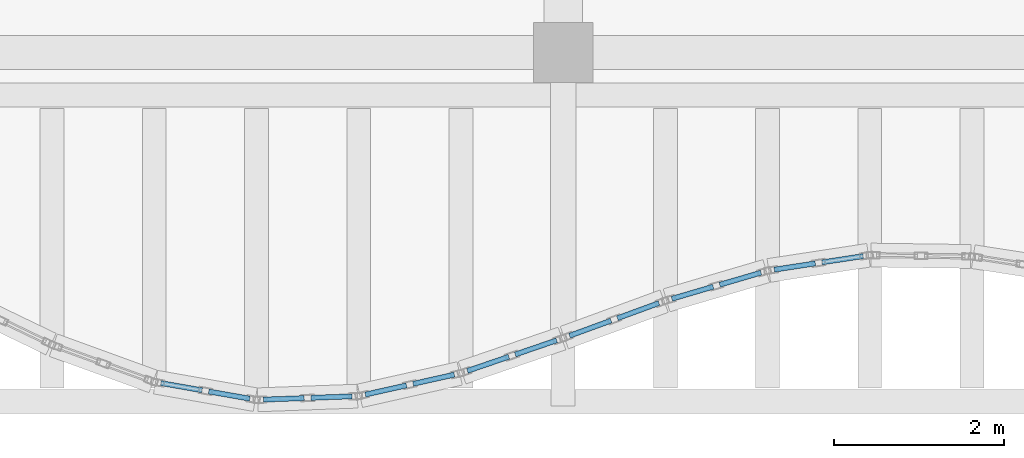
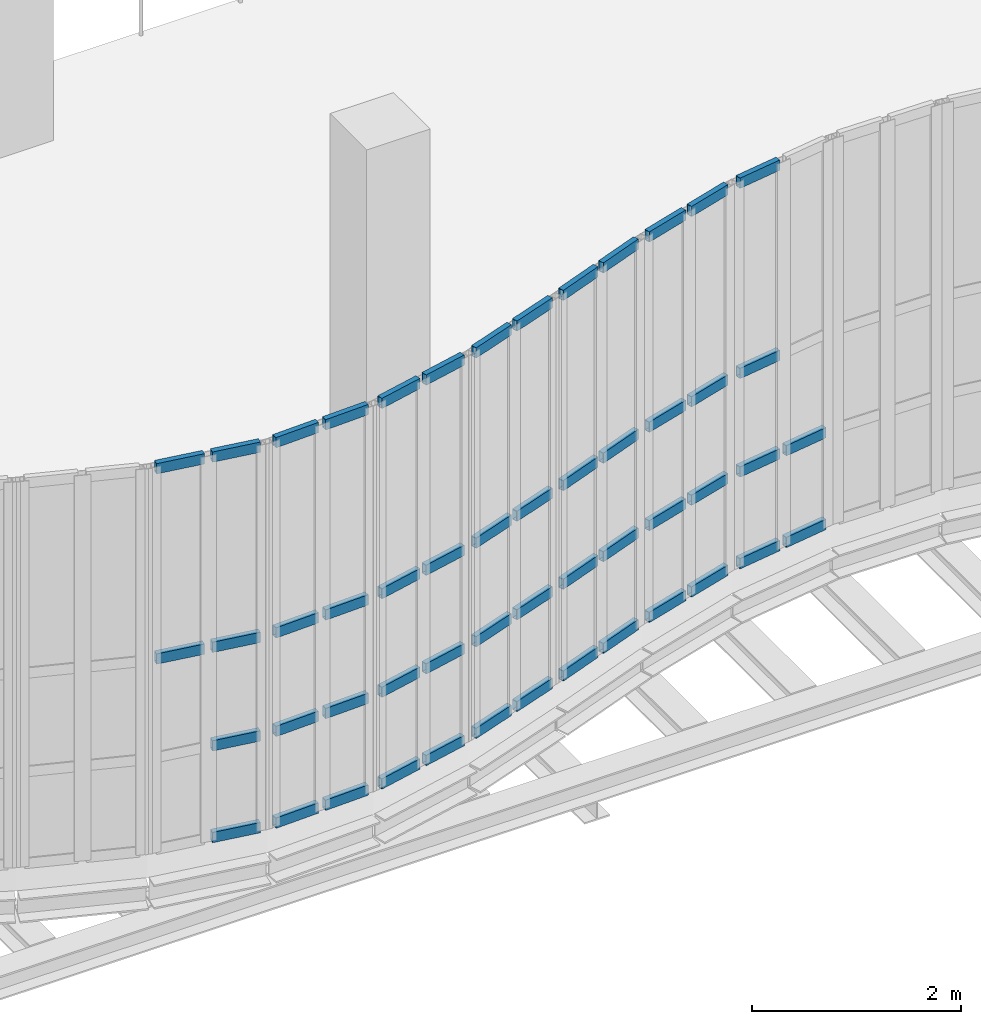
# One storey, part 58 of 108: 52 members, 7 elements without a shape of their own.
"""IFC4 building model written with IfcOpenShell, lengths in metres."""

from ifc_helpers import new_model, si_unit, direction, frame, origin, origin_2d, place, context, subcontext, project, spatial, hollow_rectangle, extrude, material, layer, layer_set, material_profile, profile_set, type_object, element, aggregate, save


model = new_model("IFC4")

# Units and contexts
model_context = context("Model", 3, precision=1e-05, world=origin(), true_north=direction((0.0, 1.0)))
body_context = subcontext(model_context, "Body", "Model", "MODEL_VIEW")
ifc_project = project(units=[si_unit("LENGTHUNIT", "METRE"), si_unit("AREAUNIT", "SQUARE_METRE"), si_unit("VOLUMEUNIT", "CUBIC_METRE"), si_unit("PLANEANGLEUNIT", "RADIAN"), si_unit("MASSUNIT", "GRAM", prefix="KILO"), si_unit("THERMODYNAMICTEMPERATUREUNIT", "KELVIN"), si_unit("POWERUNIT", "WATT")], contexts=[model_context])

# Site, building, storey
site_placement = place(None, origin())
site = spatial("IfcSite", under=ifc_project, at=site_placement, CompositionType="ELEMENT")
building_placement = place(site_placement, origin())
building = spatial("IfcBuilding", under=site, at=building_placement, Name="Kaldorven Railside Theatre", CompositionType="ELEMENT")
storey_placement = place(building_placement, frame((0.0, 0.0, 5.39990234375)))
storey = spatial("IfcBuildingStorey", under=building, at=storey_placement, Name="L01", CompositionType="ELEMENT", Elevation=5.39990234375)

# Curtain wall, members
ifc_material_1 = material(Name="Low-E laminated solar-control glass", Category="glass")
ifc_layer_1 = layer(ifc_material_1, 0.159912109375, Name="Low-E laminated solar-control glass")
ifc_layer_set_1 = layer_set([ifc_layer_1], Name="Low-E laminated solar-control glass")
curtain_wall_type_1 = type_object("IfcCurtainWallType", Name="CWT-07", PredefinedType="USERDEFINED", material=ifc_layer_set_1)
curtain_wall_1_placement = place(storey_placement, origin())
curtain_wall_1 = element("IfcCurtainWall", 1, at=curtain_wall_1_placement, inside=storey, type_object=curtain_wall_type_1, Name="Sinusoidal Fluted Curtain Wall CW-L01-S33", ObjectType="FLUTED GLAZING", PredefinedType="USERDEFINED")
ifc_material_2 = material(Name="Anodised bronze aluminium", Category="aluminium")
ifc_material_profile = material_profile(ifc_material_2, hollow_rectangle(XDim=0.06005859375, YDim=0.1201171875, WallThickness=0.0048828125, at=origin_2d()), Name="RHS 120x60x5")
ifc_profile_set = profile_set([ifc_material_profile], Name="Anodised bronze aluminium")
member_type = type_object("IfcMemberType", Name="CWT-120", PredefinedType="USERDEFINED", material=ifc_profile_set)
member_1_placement = place(storey_placement, frame((75.27880859375, 15.318359375, 2.25), z_axis=(0.984883900347, -0.1732157696, 0.0), x_axis=(0.1732157696, 0.984883900347, 0.0)))
member_1 = element("IfcMember", 2, at=member_1_placement, type_object=member_type, Name="CW-L01-S33 transom 1.3", ObjectType="TRANSOM", PredefinedType="USERDEFINED", context=body_context, shape_type="SweptSolid", body=[
    extrude(hollow_rectangle(XDim=0.06005859375, YDim=0.1201171875, WallThickness=0.0048828125, at=origin_2d()), origin(), (0.0, 0.0, 1.0), 0.489013671875),
])
member_2_placement = place(storey_placement, frame((75.27880859375, 15.318359375, 4.47021484375), z_axis=(0.984883900347, -0.1732157696, 0.0), x_axis=(0.1732157696, 0.984883900347, 0.0)))
member_2 = element("IfcMember", 3, at=member_2_placement, type_object=member_type, Name="CW-L01-S33 transom 1.4", ObjectType="TRANSOM", PredefinedType="USERDEFINED", context=body_context, shape_type="SweptSolid", body=[
    extrude(hollow_rectangle(XDim=0.06005859375, YDim=0.1201171875, WallThickness=0.0048828125, at=origin_2d()), origin(), (0.0, 0.0, 1.0), 0.489013671875),
])
member_3_placement = place(storey_placement, frame((75.83935546875, 15.2197265625, 0.030029296875), z_axis=(0.984898866584, -0.173130651826, 0.0), x_axis=(0.173130651826, 0.984898866584, 0.0)))
member_3 = element("IfcMember", 4, at=member_3_placement, type_object=member_type, Name="CW-L01-S33 transom 2.1", ObjectType="TRANSOM", PredefinedType="USERDEFINED", context=body_context, shape_type="SweptSolid", body=[
    extrude(hollow_rectangle(XDim=0.06005859375, YDim=0.1201171875, WallThickness=0.0048828125, at=origin_2d()), origin(), (0.0, 0.0, 1.0), 0.4892578125),
])
member_4_placement = place(storey_placement, frame((75.83935546875, 15.2197265625, 1.10009765625), z_axis=(0.984898866584, -0.173130651826, 0.0), x_axis=(0.173130651826, 0.984898866584, 0.0)))
member_4 = element("IfcMember", 5, at=member_4_placement, type_object=member_type, Name="CW-L01-S33 transom 2.2", ObjectType="TRANSOM", PredefinedType="USERDEFINED", context=body_context, shape_type="SweptSolid", body=[
    extrude(hollow_rectangle(XDim=0.06005859375, YDim=0.1201171875, WallThickness=0.0048828125, at=origin_2d()), origin(), (0.0, 0.0, 1.0), 0.4892578125),
])
member_5_placement = place(storey_placement, frame((75.83935546875, 15.2197265625, 2.25), z_axis=(0.984898866584, -0.173130651826, 0.0), x_axis=(0.173130651826, 0.984898866584, 0.0)))
member_5 = element("IfcMember", 6, at=member_5_placement, type_object=member_type, Name="CW-L01-S33 transom 2.3", ObjectType="TRANSOM", PredefinedType="USERDEFINED", context=body_context, shape_type="SweptSolid", body=[
    extrude(hollow_rectangle(XDim=0.06005859375, YDim=0.1201171875, WallThickness=0.0048828125, at=origin_2d()), origin(), (0.0, 0.0, 1.0), 0.4892578125),
])
member_6_placement = place(storey_placement, frame((75.83935546875, 15.2197265625, 4.47021484375), z_axis=(0.984898866584, -0.173130651826, 0.0), x_axis=(0.173130651826, 0.984898866584, 0.0)))
member_6 = element("IfcMember", 7, at=member_6_placement, type_object=member_type, Name="CW-L01-S33 transom 2.4", ObjectType="TRANSOM", PredefinedType="USERDEFINED", context=body_context, shape_type="SweptSolid", body=[
    extrude(hollow_rectangle(XDim=0.06005859375, YDim=0.1201171875, WallThickness=0.0048828125, at=origin_2d()), origin(), (0.0, 0.0, 1.0), 0.4892578125),
])
aggregate(curtain_wall_1, [member_1, member_2, member_3, member_4, member_5, member_6])

ifc_layer_2 = layer(ifc_material_1, 0.159912109375, Name="Low-E laminated solar-control glass")
ifc_layer_set_2 = layer_set([ifc_layer_2], Name="Low-E laminated solar-control glass")
curtain_wall_type_2 = type_object("IfcCurtainWallType", Name="CWT-03", PredefinedType="USERDEFINED", material=ifc_layer_set_2)
curtain_wall_2_placement = place(storey_placement, origin())
curtain_wall_2 = element("IfcCurtainWall", 8, at=curtain_wall_2_placement, inside=storey, type_object=curtain_wall_type_2, Name="Sinusoidal Fluted Curtain Wall CW-L01-S34", ObjectType="FLUTED GLAZING", PredefinedType="USERDEFINED")
member_7_placement = place(storey_placement, frame((76.47998046875, 15.124267578125, 0.030029296875), z_axis=(0.99933006699, 0.036598049249, 0.0), x_axis=(-0.036598049249, 0.99933006699, 0.0)))
member_7 = element("IfcMember", 9, at=member_7_placement, type_object=member_type, Name="CW-L01-S34 transom 1.1", ObjectType="TRANSOM", PredefinedType="USERDEFINED", context=body_context, shape_type="SweptSolid", body=[
    extrude(hollow_rectangle(XDim=0.06005859375, YDim=0.1201171875, WallThickness=0.0048828125, at=origin_2d()), origin(), (0.0, 0.0, 1.0), 0.480224609375),
])
member_8_placement = place(storey_placement, frame((76.47998046875, 15.124267578125, 1.10009765625), z_axis=(0.99933006699, 0.036598049249, 0.0), x_axis=(-0.036598049249, 0.99933006699, 0.0)))
member_8 = element("IfcMember", 10, at=member_8_placement, type_object=member_type, Name="CW-L01-S34 transom 1.2", ObjectType="TRANSOM", PredefinedType="USERDEFINED", context=body_context, shape_type="SweptSolid", body=[
    extrude(hollow_rectangle(XDim=0.06005859375, YDim=0.1201171875, WallThickness=0.0048828125, at=origin_2d()), origin(), (0.0, 0.0, 1.0), 0.480224609375),
])
member_9_placement = place(storey_placement, frame((76.47998046875, 15.124267578125, 2.25), z_axis=(0.99933006699, 0.036598049249, 0.0), x_axis=(-0.036598049249, 0.99933006699, 0.0)))
member_9 = element("IfcMember", 11, at=member_9_placement, type_object=member_type, Name="CW-L01-S34 transom 1.3", ObjectType="TRANSOM", PredefinedType="USERDEFINED", context=body_context, shape_type="SweptSolid", body=[
    extrude(hollow_rectangle(XDim=0.06005859375, YDim=0.1201171875, WallThickness=0.0048828125, at=origin_2d()), origin(), (0.0, 0.0, 1.0), 0.480224609375),
])
member_10_placement = place(storey_placement, frame((76.47998046875, 15.124267578125, 4.47021484375), z_axis=(0.99933006699, 0.036598049249, 0.0), x_axis=(-0.036598049249, 0.99933006699, 0.0)))
member_10 = element("IfcMember", 12, at=member_10_placement, type_object=member_type, Name="CW-L01-S34 transom 1.4", ObjectType="TRANSOM", PredefinedType="USERDEFINED", context=body_context, shape_type="SweptSolid", body=[
    extrude(hollow_rectangle(XDim=0.06005859375, YDim=0.1201171875, WallThickness=0.0048828125, at=origin_2d()), origin(), (0.0, 0.0, 1.0), 0.480224609375),
])
member_11_placement = place(storey_placement, frame((77.0400390625, 15.14501953125, 0.030029296875), z_axis=(0.999311347861, 0.037105660424, 0.0), x_axis=(-0.037105660424, 0.999311347861, 0.0)))
member_11 = element("IfcMember", 13, at=member_11_placement, type_object=member_type, Name="CW-L01-S34 transom 2.1", ObjectType="TRANSOM", PredefinedType="USERDEFINED", context=body_context, shape_type="SweptSolid", body=[
    extrude(hollow_rectangle(XDim=0.06005859375, YDim=0.1201171875, WallThickness=0.0048828125, at=origin_2d()), origin(), (0.0, 0.0, 1.0), 0.480224609375),
])
member_12_placement = place(storey_placement, frame((77.0400390625, 15.14501953125, 1.10009765625), z_axis=(0.999311347861, 0.037105660424, 0.0), x_axis=(-0.037105660424, 0.999311347861, 0.0)))
member_12 = element("IfcMember", 14, at=member_12_placement, type_object=member_type, Name="CW-L01-S34 transom 2.2", ObjectType="TRANSOM", PredefinedType="USERDEFINED", context=body_context, shape_type="SweptSolid", body=[
    extrude(hollow_rectangle(XDim=0.06005859375, YDim=0.1201171875, WallThickness=0.0048828125, at=origin_2d()), origin(), (0.0, 0.0, 1.0), 0.480224609375),
])
member_13_placement = place(storey_placement, frame((77.0400390625, 15.14501953125, 2.25), z_axis=(0.999311347861, 0.037105660424, 0.0), x_axis=(-0.037105660424, 0.999311347861, 0.0)))
member_13 = element("IfcMember", 15, at=member_13_placement, type_object=member_type, Name="CW-L01-S34 transom 2.3", ObjectType="TRANSOM", PredefinedType="USERDEFINED", context=body_context, shape_type="SweptSolid", body=[
    extrude(hollow_rectangle(XDim=0.06005859375, YDim=0.1201171875, WallThickness=0.0048828125, at=origin_2d()), origin(), (0.0, 0.0, 1.0), 0.480224609375),
])
member_14_placement = place(storey_placement, frame((77.0400390625, 15.14501953125, 4.47021484375), z_axis=(0.999311347861, 0.037105660424, 0.0), x_axis=(-0.037105660424, 0.999311347861, 0.0)))
member_14 = element("IfcMember", 16, at=member_14_placement, type_object=member_type, Name="CW-L01-S34 transom 2.4", ObjectType="TRANSOM", PredefinedType="USERDEFINED", context=body_context, shape_type="SweptSolid", body=[
    extrude(hollow_rectangle(XDim=0.06005859375, YDim=0.1201171875, WallThickness=0.0048828125, at=origin_2d()), origin(), (0.0, 0.0, 1.0), 0.480224609375),
])
aggregate(curtain_wall_2, [member_7, member_8, member_9, member_10, member_11, member_12, member_13, member_14])

ifc_layer_3 = layer(ifc_material_1, 0.159912109375, Name="Low-E laminated solar-control glass")
ifc_layer_set_3 = layer_set([ifc_layer_3], Name="Low-E laminated solar-control glass")
curtain_wall_type_3 = type_object("IfcCurtainWallType", Name="CWT-02", PredefinedType="USERDEFINED", material=ifc_layer_set_3)
curtain_wall_3_placement = place(storey_placement, origin())
curtain_wall_3 = element("IfcCurtainWall", 17, at=curtain_wall_3_placement, inside=storey, type_object=curtain_wall_type_3, Name="Sinusoidal Fluted Curtain Wall CW-L01-S35", ObjectType="FLUTED GLAZING", PredefinedType="USERDEFINED")
member_15_placement = place(storey_placement, frame((77.677978515625, 15.183349609375, 0.030029296875), z_axis=(0.975720554959, 0.219019174116, 0.0), x_axis=(-0.219019174116, 0.975720554959, 0.0)))
member_15 = element("IfcMember", 18, at=member_15_placement, type_object=member_type, Name="CW-L01-S35 transom 1.1", ObjectType="TRANSOM", PredefinedType="USERDEFINED", context=body_context, shape_type="SweptSolid", body=[
    extrude(hollow_rectangle(XDim=0.06005859375, YDim=0.1201171875, WallThickness=0.0048828125, at=origin_2d()), origin(), (0.0, 0.0, 1.0), 0.494873046875),
])
member_16_placement = place(storey_placement, frame((77.677978515625, 15.183349609375, 1.10009765625), z_axis=(0.975720554959, 0.219019174116, 0.0), x_axis=(-0.219019174116, 0.975720554959, 0.0)))
member_16 = element("IfcMember", 19, at=member_16_placement, type_object=member_type, Name="CW-L01-S35 transom 1.2", ObjectType="TRANSOM", PredefinedType="USERDEFINED", context=body_context, shape_type="SweptSolid", body=[
    extrude(hollow_rectangle(XDim=0.06005859375, YDim=0.1201171875, WallThickness=0.0048828125, at=origin_2d()), origin(), (0.0, 0.0, 1.0), 0.494873046875),
])
member_17_placement = place(storey_placement, frame((77.677978515625, 15.183349609375, 2.25), z_axis=(0.975720554959, 0.219019174116, 0.0), x_axis=(-0.219019174116, 0.975720554959, 0.0)))
member_17 = element("IfcMember", 20, at=member_17_placement, type_object=member_type, Name="CW-L01-S35 transom 1.3", ObjectType="TRANSOM", PredefinedType="USERDEFINED", context=body_context, shape_type="SweptSolid", body=[
    extrude(hollow_rectangle(XDim=0.06005859375, YDim=0.1201171875, WallThickness=0.0048828125, at=origin_2d()), origin(), (0.0, 0.0, 1.0), 0.494873046875),
])
member_18_placement = place(storey_placement, frame((77.677978515625, 15.183349609375, 4.47021484375), z_axis=(0.975720554959, 0.219019174116, 0.0), x_axis=(-0.219019174116, 0.975720554959, 0.0)))
member_18 = element("IfcMember", 21, at=member_18_placement, type_object=member_type, Name="CW-L01-S35 transom 1.4", ObjectType="TRANSOM", PredefinedType="USERDEFINED", context=body_context, shape_type="SweptSolid", body=[
    extrude(hollow_rectangle(XDim=0.06005859375, YDim=0.1201171875, WallThickness=0.0048828125, at=origin_2d()), origin(), (0.0, 0.0, 1.0), 0.494873046875),
])
member_19_placement = place(storey_placement, frame((78.239013671875, 15.309326171875, 0.030029296875), z_axis=(0.975720554959, 0.219019174116, 0.0), x_axis=(-0.219019174116, 0.975720554959, 0.0)))
member_19 = element("IfcMember", 22, at=member_19_placement, type_object=member_type, Name="CW-L01-S35 transom 2.1", ObjectType="TRANSOM", PredefinedType="USERDEFINED", context=body_context, shape_type="SweptSolid", body=[
    extrude(hollow_rectangle(XDim=0.06005859375, YDim=0.1201171875, WallThickness=0.0048828125, at=origin_2d()), origin(), (0.0, 0.0, 1.0), 0.494873046875),
])
member_20_placement = place(storey_placement, frame((78.239013671875, 15.309326171875, 1.10009765625), z_axis=(0.975720554959, 0.219019174116, 0.0), x_axis=(-0.219019174116, 0.975720554959, 0.0)))
member_20 = element("IfcMember", 23, at=member_20_placement, type_object=member_type, Name="CW-L01-S35 transom 2.2", ObjectType="TRANSOM", PredefinedType="USERDEFINED", context=body_context, shape_type="SweptSolid", body=[
    extrude(hollow_rectangle(XDim=0.06005859375, YDim=0.1201171875, WallThickness=0.0048828125, at=origin_2d()), origin(), (0.0, 0.0, 1.0), 0.494873046875),
])
member_21_placement = place(storey_placement, frame((78.239013671875, 15.309326171875, 2.25), z_axis=(0.975720554959, 0.219019174116, 0.0), x_axis=(-0.219019174116, 0.975720554959, 0.0)))
member_21 = element("IfcMember", 24, at=member_21_placement, type_object=member_type, Name="CW-L01-S35 transom 2.3", ObjectType="TRANSOM", PredefinedType="USERDEFINED", context=body_context, shape_type="SweptSolid", body=[
    extrude(hollow_rectangle(XDim=0.06005859375, YDim=0.1201171875, WallThickness=0.0048828125, at=origin_2d()), origin(), (0.0, 0.0, 1.0), 0.494873046875),
])
member_22_placement = place(storey_placement, frame((78.239013671875, 15.309326171875, 4.47021484375), z_axis=(0.975720554959, 0.219019174116, 0.0), x_axis=(-0.219019174116, 0.975720554959, 0.0)))
member_22 = element("IfcMember", 25, at=member_22_placement, type_object=member_type, Name="CW-L01-S35 transom 2.4", ObjectType="TRANSOM", PredefinedType="USERDEFINED", context=body_context, shape_type="SweptSolid", body=[
    extrude(hollow_rectangle(XDim=0.06005859375, YDim=0.1201171875, WallThickness=0.0048828125, at=origin_2d()), origin(), (0.0, 0.0, 1.0), 0.494873046875),
])
aggregate(curtain_wall_3, [member_15, member_16, member_17, member_18, member_19, member_20, member_21, member_22])

ifc_layer_4 = layer(ifc_material_1, 0.159912109375, Name="Low-E laminated solar-control glass")
ifc_layer_set_4 = layer_set([ifc_layer_4], Name="Low-E laminated solar-control glass")
curtain_wall_type_4 = type_object("IfcCurtainWallType", Name="CWT-04", PredefinedType="USERDEFINED", material=ifc_layer_set_4)
curtain_wall_4_placement = place(storey_placement, origin())
curtain_wall_4 = element("IfcCurtainWall", 26, at=curtain_wall_4_placement, inside=storey, type_object=curtain_wall_type_4, Name="Sinusoidal Fluted Curtain Wall CW-L01-S36", ObjectType="FLUTED GLAZING", PredefinedType="USERDEFINED")
member_23_placement = place(storey_placement, frame((78.875732421875, 15.461181640625, 0.030029296875), z_axis=(0.945941783381, 0.324336464884, 0.0), x_axis=(-0.324336464884, 0.945941783381, 0.0)))
member_23 = element("IfcMember", 27, at=member_23_placement, type_object=member_type, Name="CW-L01-S36 transom 1.1", ObjectType="TRANSOM", PredefinedType="USERDEFINED", context=body_context, shape_type="SweptSolid", body=[
    extrude(hollow_rectangle(XDim=0.06005859375, YDim=0.1201171875, WallThickness=0.0048828125, at=origin_2d()), origin(), (0.0, 0.0, 1.0), 0.51416015625),
])
member_24_placement = place(storey_placement, frame((78.875732421875, 15.461181640625, 1.10009765625), z_axis=(0.945941783381, 0.324336464884, 0.0), x_axis=(-0.324336464884, 0.945941783381, 0.0)))
member_24 = element("IfcMember", 28, at=member_24_placement, type_object=member_type, Name="CW-L01-S36 transom 1.2", ObjectType="TRANSOM", PredefinedType="USERDEFINED", context=body_context, shape_type="SweptSolid", body=[
    extrude(hollow_rectangle(XDim=0.06005859375, YDim=0.1201171875, WallThickness=0.0048828125, at=origin_2d()), origin(), (0.0, 0.0, 1.0), 0.51416015625),
])
member_25_placement = place(storey_placement, frame((78.875732421875, 15.461181640625, 2.25), z_axis=(0.945941783381, 0.324336464884, 0.0), x_axis=(-0.324336464884, 0.945941783381, 0.0)))
member_25 = element("IfcMember", 29, at=member_25_placement, type_object=member_type, Name="CW-L01-S36 transom 1.3", ObjectType="TRANSOM", PredefinedType="USERDEFINED", context=body_context, shape_type="SweptSolid", body=[
    extrude(hollow_rectangle(XDim=0.06005859375, YDim=0.1201171875, WallThickness=0.0048828125, at=origin_2d()), origin(), (0.0, 0.0, 1.0), 0.51416015625),
])
member_26_placement = place(storey_placement, frame((78.875732421875, 15.461181640625, 4.47021484375), z_axis=(0.945941783381, 0.324336464884, 0.0), x_axis=(-0.324336464884, 0.945941783381, 0.0)))
member_26 = element("IfcMember", 30, at=member_26_placement, type_object=member_type, Name="CW-L01-S36 transom 1.4", ObjectType="TRANSOM", PredefinedType="USERDEFINED", context=body_context, shape_type="SweptSolid", body=[
    extrude(hollow_rectangle(XDim=0.06005859375, YDim=0.1201171875, WallThickness=0.0048828125, at=origin_2d()), origin(), (0.0, 0.0, 1.0), 0.51416015625),
])
member_27_placement = place(storey_placement, frame((79.437744140625, 15.65380859375, 0.030029296875), z_axis=(0.945991703324, 0.324190834606, 0.0), x_axis=(-0.324190834606, 0.945991703324, 0.0)))
member_27 = element("IfcMember", 31, at=member_27_placement, type_object=member_type, Name="CW-L01-S36 transom 2.1", ObjectType="TRANSOM", PredefinedType="USERDEFINED", context=body_context, shape_type="SweptSolid", body=[
    extrude(hollow_rectangle(XDim=0.06005859375, YDim=0.1201171875, WallThickness=0.0048828125, at=origin_2d()), origin(), (0.0, 0.0, 1.0), 0.514404296875),
])
member_28_placement = place(storey_placement, frame((79.437744140625, 15.65380859375, 1.10009765625), z_axis=(0.945991703324, 0.324190834606, 0.0), x_axis=(-0.324190834606, 0.945991703324, 0.0)))
member_28 = element("IfcMember", 32, at=member_28_placement, type_object=member_type, Name="CW-L01-S36 transom 2.2", ObjectType="TRANSOM", PredefinedType="USERDEFINED", context=body_context, shape_type="SweptSolid", body=[
    extrude(hollow_rectangle(XDim=0.06005859375, YDim=0.1201171875, WallThickness=0.0048828125, at=origin_2d()), origin(), (0.0, 0.0, 1.0), 0.514404296875),
])
member_29_placement = place(storey_placement, frame((79.437744140625, 15.65380859375, 2.25), z_axis=(0.945991703324, 0.324190834606, 0.0), x_axis=(-0.324190834606, 0.945991703324, 0.0)))
member_29 = element("IfcMember", 33, at=member_29_placement, type_object=member_type, Name="CW-L01-S36 transom 2.3", ObjectType="TRANSOM", PredefinedType="USERDEFINED", context=body_context, shape_type="SweptSolid", body=[
    extrude(hollow_rectangle(XDim=0.06005859375, YDim=0.1201171875, WallThickness=0.0048828125, at=origin_2d()), origin(), (0.0, 0.0, 1.0), 0.514404296875),
])
member_30_placement = place(storey_placement, frame((79.437744140625, 15.65380859375, 4.47021484375), z_axis=(0.945991703324, 0.324190834606, 0.0), x_axis=(-0.324190834606, 0.945991703324, 0.0)))
member_30 = element("IfcMember", 34, at=member_30_placement, type_object=member_type, Name="CW-L01-S36 transom 2.4", ObjectType="TRANSOM", PredefinedType="USERDEFINED", context=body_context, shape_type="SweptSolid", body=[
    extrude(hollow_rectangle(XDim=0.06005859375, YDim=0.1201171875, WallThickness=0.0048828125, at=origin_2d()), origin(), (0.0, 0.0, 1.0), 0.514404296875),
])
aggregate(curtain_wall_4, [member_23, member_24, member_25, member_26, member_27, member_28, member_29, member_30])

ifc_layer_5 = layer(ifc_material_1, 0.159912109375, Name="Low-E laminated solar-control glass")
ifc_layer_set_5 = layer_set([ifc_layer_5], Name="Low-E laminated solar-control glass")
curtain_wall_type_5 = type_object("IfcCurtainWallType", Name="CWT-01", PredefinedType="USERDEFINED", material=ifc_layer_set_5)
curtain_wall_5_placement = place(storey_placement, origin())
curtain_wall_5 = element("IfcCurtainWall", 35, at=curtain_wall_5_placement, inside=storey, type_object=curtain_wall_type_5, Name="Sinusoidal Fluted Curtain Wall CW-L01-S37", ObjectType="FLUTED GLAZING", PredefinedType="USERDEFINED")
member_31_placement = place(storey_placement, frame((80.0751953125, 15.873779296875, 0.030029296875), z_axis=(0.939159876124, 0.343480315416, 0.0), x_axis=(-0.343480315416, 0.939159876124, 0.0)))
member_31 = element("IfcMember", 36, at=member_31_placement, type_object=member_type, Name="CW-L01-S37 transom 1.1", ObjectType="TRANSOM", PredefinedType="USERDEFINED", context=body_context, shape_type="SweptSolid", body=[
    extrude(hollow_rectangle(XDim=0.06005859375, YDim=0.1201171875, WallThickness=0.0048828125, at=origin_2d()), origin(), (0.0, 0.0, 1.0), 0.518798828125),
])
member_32_placement = place(storey_placement, frame((80.0751953125, 15.873779296875, 1.10009765625), z_axis=(0.939159876124, 0.343480315416, 0.0), x_axis=(-0.343480315416, 0.939159876124, 0.0)))
member_32 = element("IfcMember", 37, at=member_32_placement, type_object=member_type, Name="CW-L01-S37 transom 1.2", ObjectType="TRANSOM", PredefinedType="USERDEFINED", context=body_context, shape_type="SweptSolid", body=[
    extrude(hollow_rectangle(XDim=0.06005859375, YDim=0.1201171875, WallThickness=0.0048828125, at=origin_2d()), origin(), (0.0, 0.0, 1.0), 0.518798828125),
])
member_33_placement = place(storey_placement, frame((80.0751953125, 15.873779296875, 2.25), z_axis=(0.939159876124, 0.343480315416, 0.0), x_axis=(-0.343480315416, 0.939159876124, 0.0)))
member_33 = element("IfcMember", 38, at=member_33_placement, type_object=member_type, Name="CW-L01-S37 transom 1.3", ObjectType="TRANSOM", PredefinedType="USERDEFINED", context=body_context, shape_type="SweptSolid", body=[
    extrude(hollow_rectangle(XDim=0.06005859375, YDim=0.1201171875, WallThickness=0.0048828125, at=origin_2d()), origin(), (0.0, 0.0, 1.0), 0.518798828125),
])
member_34_placement = place(storey_placement, frame((80.0751953125, 15.873779296875, 4.47021484375), z_axis=(0.939159876124, 0.343480315416, 0.0), x_axis=(-0.343480315416, 0.939159876124, 0.0)))
member_34 = element("IfcMember", 39, at=member_34_placement, type_object=member_type, Name="CW-L01-S37 transom 1.4", ObjectType="TRANSOM", PredefinedType="USERDEFINED", context=body_context, shape_type="SweptSolid", body=[
    extrude(hollow_rectangle(XDim=0.06005859375, YDim=0.1201171875, WallThickness=0.0048828125, at=origin_2d()), origin(), (0.0, 0.0, 1.0), 0.518798828125),
])
member_35_placement = place(storey_placement, frame((80.637451171875, 16.07958984375, 0.030029296875), z_axis=(0.939159876124, 0.343480315416, 0.0), x_axis=(-0.343480315416, 0.939159876124, 0.0)))
member_35 = element("IfcMember", 40, at=member_35_placement, type_object=member_type, Name="CW-L01-S37 transom 2.1", ObjectType="TRANSOM", PredefinedType="USERDEFINED", context=body_context, shape_type="SweptSolid", body=[
    extrude(hollow_rectangle(XDim=0.06005859375, YDim=0.1201171875, WallThickness=0.0048828125, at=origin_2d()), origin(), (0.0, 0.0, 1.0), 0.518798828125),
])
member_36_placement = place(storey_placement, frame((80.637451171875, 16.07958984375, 1.10009765625), z_axis=(0.939159876124, 0.343480315416, 0.0), x_axis=(-0.343480315416, 0.939159876124, 0.0)))
member_36 = element("IfcMember", 41, at=member_36_placement, type_object=member_type, Name="CW-L01-S37 transom 2.2", ObjectType="TRANSOM", PredefinedType="USERDEFINED", context=body_context, shape_type="SweptSolid", body=[
    extrude(hollow_rectangle(XDim=0.06005859375, YDim=0.1201171875, WallThickness=0.0048828125, at=origin_2d()), origin(), (0.0, 0.0, 1.0), 0.518798828125),
])
member_37_placement = place(storey_placement, frame((80.637451171875, 16.07958984375, 2.25), z_axis=(0.939159876124, 0.343480315416, 0.0), x_axis=(-0.343480315416, 0.939159876124, 0.0)))
member_37 = element("IfcMember", 42, at=member_37_placement, type_object=member_type, Name="CW-L01-S37 transom 2.3", ObjectType="TRANSOM", PredefinedType="USERDEFINED", context=body_context, shape_type="SweptSolid", body=[
    extrude(hollow_rectangle(XDim=0.06005859375, YDim=0.1201171875, WallThickness=0.0048828125, at=origin_2d()), origin(), (0.0, 0.0, 1.0), 0.518798828125),
])
member_38_placement = place(storey_placement, frame((80.637451171875, 16.07958984375, 4.47021484375), z_axis=(0.939159876124, 0.343480315416, 0.0), x_axis=(-0.343480315416, 0.939159876124, 0.0)))
member_38 = element("IfcMember", 43, at=member_38_placement, type_object=member_type, Name="CW-L01-S37 transom 2.4", ObjectType="TRANSOM", PredefinedType="USERDEFINED", context=body_context, shape_type="SweptSolid", body=[
    extrude(hollow_rectangle(XDim=0.06005859375, YDim=0.1201171875, WallThickness=0.0048828125, at=origin_2d()), origin(), (0.0, 0.0, 1.0), 0.518798828125),
])
aggregate(curtain_wall_5, [member_31, member_32, member_33, member_34, member_35, member_36, member_37, member_38])

curtain_wall_6_placement = place(storey_placement, origin())
curtain_wall_6 = element("IfcCurtainWall", 44, at=curtain_wall_6_placement, inside=storey, type_object=curtain_wall_type_4, Name="Sinusoidal Fluted Curtain Wall CW-L01-S38", ObjectType="FLUTED GLAZING", PredefinedType="USERDEFINED")
member_39_placement = place(storey_placement, frame((81.27685546875, 16.307861328125, 0.030029296875), z_axis=(0.959380884602, 0.282114016419, 0.0), x_axis=(-0.282114016419, 0.959380884602, 0.0)))
member_39 = element("IfcMember", 45, at=member_39_placement, type_object=member_type, Name="CW-L01-S38 transom 1.1", ObjectType="TRANSOM", PredefinedType="USERDEFINED", context=body_context, shape_type="SweptSolid", body=[
    extrude(hollow_rectangle(XDim=0.06005859375, YDim=0.1201171875, WallThickness=0.0048828125, at=origin_2d()), origin(), (0.0, 0.0, 1.0), 0.50537109375),
])
member_40_placement = place(storey_placement, frame((81.27685546875, 16.307861328125, 1.10009765625), z_axis=(0.959380884602, 0.282114016419, 0.0), x_axis=(-0.282114016419, 0.959380884602, 0.0)))
member_40 = element("IfcMember", 46, at=member_40_placement, type_object=member_type, Name="CW-L01-S38 transom 1.2", ObjectType="TRANSOM", PredefinedType="USERDEFINED", context=body_context, shape_type="SweptSolid", body=[
    extrude(hollow_rectangle(XDim=0.06005859375, YDim=0.1201171875, WallThickness=0.0048828125, at=origin_2d()), origin(), (0.0, 0.0, 1.0), 0.50537109375),
])
member_41_placement = place(storey_placement, frame((81.27685546875, 16.307861328125, 2.25), z_axis=(0.959380884602, 0.282114016419, 0.0), x_axis=(-0.282114016419, 0.959380884602, 0.0)))
member_41 = element("IfcMember", 47, at=member_41_placement, type_object=member_type, Name="CW-L01-S38 transom 1.3", ObjectType="TRANSOM", PredefinedType="USERDEFINED", context=body_context, shape_type="SweptSolid", body=[
    extrude(hollow_rectangle(XDim=0.06005859375, YDim=0.1201171875, WallThickness=0.0048828125, at=origin_2d()), origin(), (0.0, 0.0, 1.0), 0.50537109375),
])
member_42_placement = place(storey_placement, frame((81.27685546875, 16.307861328125, 4.47021484375), z_axis=(0.959380884602, 0.282114016419, 0.0), x_axis=(-0.282114016419, 0.959380884602, 0.0)))
member_42 = element("IfcMember", 48, at=member_42_placement, type_object=member_type, Name="CW-L01-S38 transom 1.4", ObjectType="TRANSOM", PredefinedType="USERDEFINED", context=body_context, shape_type="SweptSolid", body=[
    extrude(hollow_rectangle(XDim=0.06005859375, YDim=0.1201171875, WallThickness=0.0048828125, at=origin_2d()), origin(), (0.0, 0.0, 1.0), 0.50537109375),
])
member_43_placement = place(storey_placement, frame((81.83837890625, 16.472900390625, 0.030029296875), z_axis=(0.959380884602, 0.282114016419, 0.0), x_axis=(-0.282114016419, 0.959380884602, 0.0)))
member_43 = element("IfcMember", 49, at=member_43_placement, type_object=member_type, Name="CW-L01-S38 transom 2.1", ObjectType="TRANSOM", PredefinedType="USERDEFINED", context=body_context, shape_type="SweptSolid", body=[
    extrude(hollow_rectangle(XDim=0.06005859375, YDim=0.1201171875, WallThickness=0.0048828125, at=origin_2d()), origin(), (0.0, 0.0, 1.0), 0.50537109375),
])
member_44_placement = place(storey_placement, frame((81.83837890625, 16.472900390625, 1.10009765625), z_axis=(0.959380884602, 0.282114016419, 0.0), x_axis=(-0.282114016419, 0.959380884602, 0.0)))
member_44 = element("IfcMember", 50, at=member_44_placement, type_object=member_type, Name="CW-L01-S38 transom 2.2", ObjectType="TRANSOM", PredefinedType="USERDEFINED", context=body_context, shape_type="SweptSolid", body=[
    extrude(hollow_rectangle(XDim=0.06005859375, YDim=0.1201171875, WallThickness=0.0048828125, at=origin_2d()), origin(), (0.0, 0.0, 1.0), 0.50537109375),
])
member_45_placement = place(storey_placement, frame((81.83837890625, 16.472900390625, 2.25), z_axis=(0.959380884602, 0.282114016419, 0.0), x_axis=(-0.282114016419, 0.959380884602, 0.0)))
member_45 = element("IfcMember", 51, at=member_45_placement, type_object=member_type, Name="CW-L01-S38 transom 2.3", ObjectType="TRANSOM", PredefinedType="USERDEFINED", context=body_context, shape_type="SweptSolid", body=[
    extrude(hollow_rectangle(XDim=0.06005859375, YDim=0.1201171875, WallThickness=0.0048828125, at=origin_2d()), origin(), (0.0, 0.0, 1.0), 0.50537109375),
])
member_46_placement = place(storey_placement, frame((81.83837890625, 16.472900390625, 4.47021484375), z_axis=(0.959380884602, 0.282114016419, 0.0), x_axis=(-0.282114016419, 0.959380884602, 0.0)))
member_46 = element("IfcMember", 52, at=member_46_placement, type_object=member_type, Name="CW-L01-S38 transom 2.4", ObjectType="TRANSOM", PredefinedType="USERDEFINED", context=body_context, shape_type="SweptSolid", body=[
    extrude(hollow_rectangle(XDim=0.06005859375, YDim=0.1201171875, WallThickness=0.0048828125, at=origin_2d()), origin(), (0.0, 0.0, 1.0), 0.50537109375),
])
aggregate(curtain_wall_6, [member_39, member_40, member_41, member_42, member_43, member_44, member_45, member_46])

curtain_wall_7_placement = place(storey_placement, origin())
curtain_wall_7 = element("IfcCurtainWall", 53, at=curtain_wall_7_placement, inside=storey, type_object=curtain_wall_type_1, Name="Sinusoidal Fluted Curtain Wall CW-L01-S39", ObjectType="FLUTED GLAZING", PredefinedType="USERDEFINED")
member_47_placement = place(storey_placement, frame((82.47900390625, 16.650146484375, 0.030029296875), z_axis=(0.988550662101, 0.150889325199, 0.0), x_axis=(-0.150889325199, 0.988550662101, 0.0)))
member_47 = element("IfcMember", 54, at=member_47_placement, type_object=member_type, Name="CW-L01-S39 transom 1.1", ObjectType="TRANSOM", PredefinedType="USERDEFINED", context=body_context, shape_type="SweptSolid", body=[
    extrude(hollow_rectangle(XDim=0.06005859375, YDim=0.1201171875, WallThickness=0.0048828125, at=origin_2d()), origin(), (0.0, 0.0, 1.0), 0.487060546875),
])
member_48_placement = place(storey_placement, frame((82.47900390625, 16.650146484375, 1.10009765625), z_axis=(0.988550662101, 0.150889325199, 0.0), x_axis=(-0.150889325199, 0.988550662101, 0.0)))
member_48 = element("IfcMember", 55, at=member_48_placement, type_object=member_type, Name="CW-L01-S39 transom 1.2", ObjectType="TRANSOM", PredefinedType="USERDEFINED", context=body_context, shape_type="SweptSolid", body=[
    extrude(hollow_rectangle(XDim=0.06005859375, YDim=0.1201171875, WallThickness=0.0048828125, at=origin_2d()), origin(), (0.0, 0.0, 1.0), 0.487060546875),
])
member_49_placement = place(storey_placement, frame((82.47900390625, 16.650146484375, 2.25), z_axis=(0.988550662101, 0.150889325199, 0.0), x_axis=(-0.150889325199, 0.988550662101, 0.0)))
member_49 = element("IfcMember", 56, at=member_49_placement, type_object=member_type, Name="CW-L01-S39 transom 1.3", ObjectType="TRANSOM", PredefinedType="USERDEFINED", context=body_context, shape_type="SweptSolid", body=[
    extrude(hollow_rectangle(XDim=0.06005859375, YDim=0.1201171875, WallThickness=0.0048828125, at=origin_2d()), origin(), (0.0, 0.0, 1.0), 0.487060546875),
])
member_50_placement = place(storey_placement, frame((82.47900390625, 16.650146484375, 4.47021484375), z_axis=(0.988550662101, 0.150889325199, 0.0), x_axis=(-0.150889325199, 0.988550662101, 0.0)))
member_50 = element("IfcMember", 57, at=member_50_placement, type_object=member_type, Name="CW-L01-S39 transom 1.4", ObjectType="TRANSOM", PredefinedType="USERDEFINED", context=body_context, shape_type="SweptSolid", body=[
    extrude(hollow_rectangle(XDim=0.06005859375, YDim=0.1201171875, WallThickness=0.0048828125, at=origin_2d()), origin(), (0.0, 0.0, 1.0), 0.487060546875),
])
member_51_placement = place(storey_placement, frame((83.03955078125, 16.735595703125, 0.030029296875), z_axis=(0.988550662101, 0.150889325199, 0.0), x_axis=(-0.150889325199, 0.988550662101, 0.0)))
member_51 = element("IfcMember", 58, at=member_51_placement, type_object=member_type, Name="CW-L01-S39 transom 2.1", ObjectType="TRANSOM", PredefinedType="USERDEFINED", context=body_context, shape_type="SweptSolid", body=[
    extrude(hollow_rectangle(XDim=0.06005859375, YDim=0.1201171875, WallThickness=0.0048828125, at=origin_2d()), origin(), (0.0, 0.0, 1.0), 0.487060546875),
])
member_52_placement = place(storey_placement, frame((83.03955078125, 16.735595703125, 1.10009765625), z_axis=(0.988550662101, 0.150889325199, 0.0), x_axis=(-0.150889325199, 0.988550662101, 0.0)))
member_52 = element("IfcMember", 59, at=member_52_placement, type_object=member_type, Name="CW-L01-S39 transom 2.2", ObjectType="TRANSOM", PredefinedType="USERDEFINED", context=body_context, shape_type="SweptSolid", body=[
    extrude(hollow_rectangle(XDim=0.06005859375, YDim=0.1201171875, WallThickness=0.0048828125, at=origin_2d()), origin(), (0.0, 0.0, 1.0), 0.487060546875),
])
aggregate(curtain_wall_7, [member_47, member_48, member_49, member_50, member_51, member_52])

save(model, "model.ifc")
